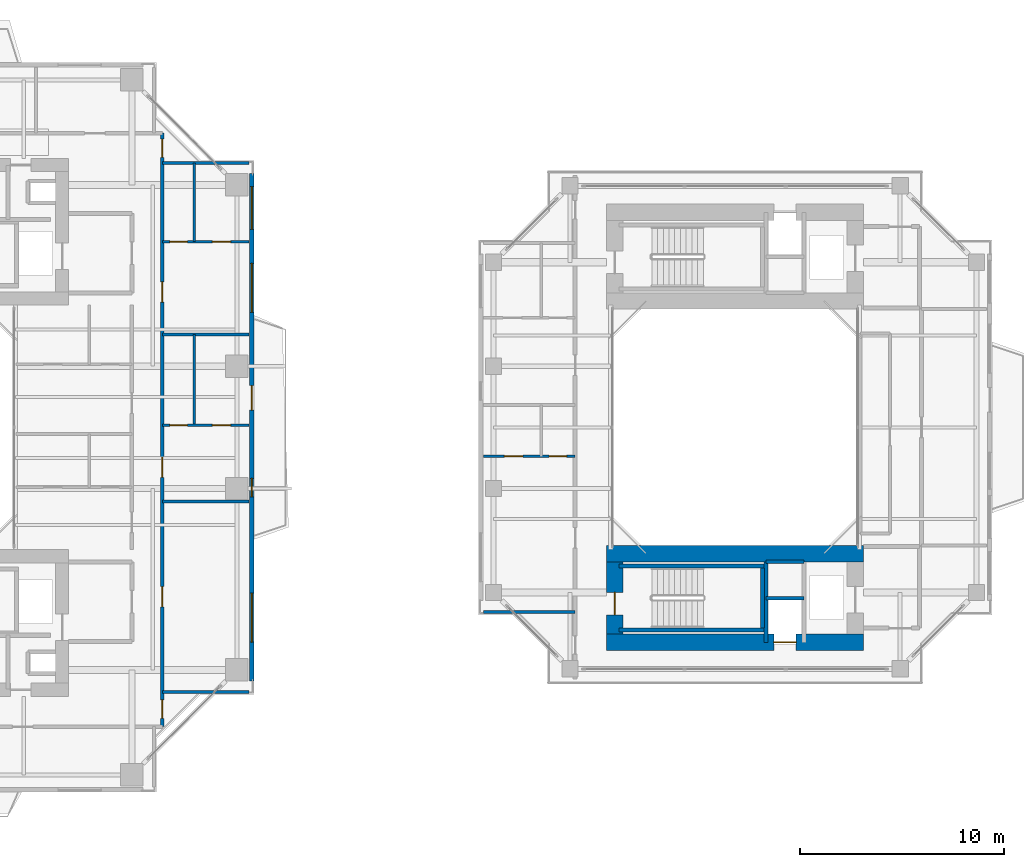
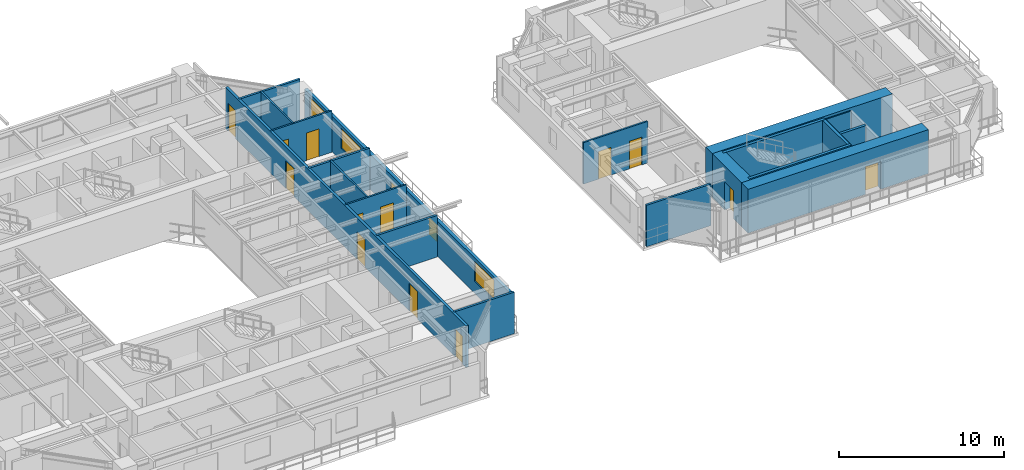
# One storey, part 16 of 23: 21 walls, 14 doors, 4 windows, 18 openings.
"""IFC4 building model written with IfcOpenShell, lengths in metres."""

from ifc_helpers import new_model, si_unit, direction, frame, frame_2d, origin, place, context, subcontext, project, spatial, rectangle, extrude, source, transform, mapped, material, layer, layer_set, type_object, element, fill, save


model = new_model("IFC4")

# Units and contexts
model_context = context("Model", 3, precision=1e-05, world=origin(), true_north=direction((0.0, 1.0)))
body_context = subcontext(model_context, "Body", "Model", "MODEL_VIEW")
ifc_project = project(units=[si_unit("LENGTHUNIT", "METRE"), si_unit("AREAUNIT", "SQUARE_METRE"), si_unit("VOLUMEUNIT", "CUBIC_METRE"), si_unit("PLANEANGLEUNIT", "RADIAN"), si_unit("MASSUNIT", "GRAM", prefix="KILO"), si_unit("THERMODYNAMICTEMPERATUREUNIT", "KELVIN"), si_unit("POWERUNIT", "WATT")], contexts=[model_context])

# Site, building, storey
site_placement = place(None, origin())
site = spatial("IfcSite", under=ifc_project, at=site_placement, CompositionType="ELEMENT")
building_placement = place(site_placement, origin())
building = spatial("IfcBuilding", under=site, at=building_placement, Name="Qiaomeng Ring Towers", CompositionType="ELEMENT")
storey_placement = place(building_placement, frame((0.0, 0.0, 100.25)))
storey = spatial("IfcBuildingStorey", under=building, at=storey_placement, Name="L28", CompositionType="ELEMENT", Elevation=100.25)

# Wall, openings, windows, door
ifc_material_1 = material(Name="Precast concrete C40", Category="concrete")
ifc_layer_1 = layer(ifc_material_1, 0.219970703125, Name="Precast concrete C40")
ifc_layer_set_1 = layer_set([ifc_layer_1], Name="Precast concrete C40")
wall_type_1 = type_object("IfcWallType", Name="ARC-WL-EW2", PredefinedType="STANDARD", material=ifc_layer_set_1)
wall_1_placement = place(storey_placement, frame((36.7900390625, 10.550048828125, 0.0), z_axis=(0.0, 0.0, 1.0), x_axis=(0.0, 1.0, 0.0)))
wall_1 = element("IfcWall", 1, at=wall_1_placement, inside=storey, type_object=wall_type_1, Name="L28 Tower 1 E Exterior Wall", PredefinedType="STANDARD", context=body_context, shape_type="SweptSolid", body=[
    extrude(rectangle(XDim=24.89990234375, YDim=0.219970703125, at=frame_2d((12.449951171875, 0.0))), origin(), (0.0, 0.0, 1.0), 2.610107421875),
])
opening_1_placement = place(wall_1_placement, frame((13.300048828125, 0.0, 0.0)))
opening_1 = element("IfcOpeningElement", 2, at=opening_1_placement, cuts=wall_1, Name="Opening BD1", PredefinedType="OPENING", context=body_context, shape_type="SweptSolid", body=[
    extrude(rectangle(XDim=1.199951171875, YDim=2.10009765625, at=frame_2d((0.60009765625, 1.050048828125))), frame((0.0, 0.119873046875, 0.0), z_axis=(0.0, -1.0, 0.0), x_axis=(1.0, 0.0, 0.0)), (0.0, 0.0, 1.0), 0.239990234375),
])
opening_2_placement = place(wall_1_placement, frame((1.912109375, 0.0, 0.89990234375)))
opening_2 = element("IfcOpeningElement", 3, at=opening_2_placement, cuts=wall_1, Name="Opening WN6", PredefinedType="OPENING", context=body_context, shape_type="SweptSolid", body=[
    extrude(rectangle(XDim=2.39990234375, YDim=1.47998046875, at=frame_2d((1.199951171875, 0.739990234375))), frame((0.0, 0.119873046875, 0.0), z_axis=(0.0, -1.0, 0.0), x_axis=(1.0, 0.0, 0.0)), (0.0, 0.0, 1.0), 0.239990234375),
])
opening_3_placement = place(wall_1_placement, frame((22.1650390625, 0.0, 0.89990234375)))
opening_3 = element("IfcOpeningElement", 4, at=opening_3_placement, cuts=wall_1, Name="Opening WN4", PredefinedType="OPENING", context=body_context, shape_type="SweptSolid", body=[
    extrude(rectangle(XDim=2.10009765625, YDim=1.5, at=frame_2d((1.050048828125, 0.75))), frame((0.0, 0.119873046875, 0.0), z_axis=(0.0, -1.0, 0.0), x_axis=(1.0, 0.0, 0.0)), (0.0, 0.0, 1.0), 0.239990234375),
])
opening_4_placement = place(wall_1_placement, frame((18.092529296875, 0.0, 0.89990234375)))
opening_4 = element("IfcOpeningElement", 5, at=opening_4_placement, cuts=wall_1, Name="Opening WN6", PredefinedType="OPENING", context=body_context, shape_type="SweptSolid", body=[
    extrude(rectangle(XDim=2.39990234375, YDim=1.5, at=frame_2d((1.199951171875, 0.75))), frame((0.0, 0.119873046875, 0.0), z_axis=(0.0, -1.0, 0.0), x_axis=(1.0, 0.0, 0.0)), (0.0, 0.0, 1.0), 0.239990234375),
])
opening_5_placement = place(wall_1_placement, frame((9.044921875, 0.0, 0.89990234375)))
opening_5 = element("IfcOpeningElement", 6, at=opening_5_placement, cuts=wall_1, Name="Opening WN5", PredefinedType="OPENING", context=body_context, shape_type="SweptSolid", body=[
    extrude(rectangle(XDim=0.89990234375, YDim=1.199951171875, at=frame_2d((0.449951171875, 0.60009765625))), frame((0.0, 0.119873046875, 0.0), z_axis=(0.0, -1.0, 0.0), x_axis=(1.0, 0.0, 0.0)), (0.0, 0.0, 1.0), 0.239990234375),
])
ifc_material_2 = material(Name="Low-E dark-grey laminated double glazing", Category="glass")
window_type_1 = type_object("IfcWindowType", Name="ARC-WN-4", PartitioningType="TRIPLE_PANEL_VERTICAL", PredefinedType="WINDOW", material=ifc_material_2)
shared_shape_1 = source(origin(), body_context, "Body", "SweptSolid", [
    extrude(rectangle(XDim=2.10009765625, YDim=1.5, at=frame_2d((1.050048828125, 0.75))), frame((0.0, 0.030029296875, 0.0), z_axis=(0.0, -1.0, 0.0), x_axis=(1.0, 0.0, 0.0)), (0.0, 0.0, 1.0), 0.06005859375),
])
window_1_placement = place(opening_3_placement, origin())
window_1 = element("IfcWindow", 7, at=window_1_placement, inside=storey, type_object=window_type_1, Name="L28 Exterior Window WN4", OverallHeight=1.5, OverallWidth=2.10009765625, PartitioningType="TRIPLE_PANEL_VERTICAL", PredefinedType="WINDOW", context=body_context, shape_type="MappedRepresentation", body=[
    mapped(shared_shape_1, transform((0.0, 0.0, 0.0), x_axis=(1.0, 0.0, 0.0), y_axis=(0.0, 1.0, 0.0), z_axis=(0.0, 0.0, 1.0), scale=1.0)),
])
fill(opening_3, window_1)
window_type_2 = type_object("IfcWindowType", Name="ARC-WN-6", PartitioningType="TRIPLE_PANEL_VERTICAL", PredefinedType="WINDOW", material=ifc_material_2)
shared_shape_2 = source(origin(), body_context, "Body", "SweptSolid", [
    extrude(rectangle(XDim=2.39990234375, YDim=1.47998046875, at=frame_2d((1.199951171875, 0.739990234375))), frame((0.0, 0.030029296875, 0.0), z_axis=(0.0, -1.0, 0.0), x_axis=(1.0, 0.0, 0.0)), (0.0, 0.0, 1.0), 0.06005859375),
])
window_2_placement = place(opening_2_placement, origin())
window_2 = element("IfcWindow", 8, at=window_2_placement, inside=storey, type_object=window_type_2, Name="L28 Exterior Window WN6", OverallHeight=1.47998046875, OverallWidth=2.39990234375, PartitioningType="TRIPLE_PANEL_VERTICAL", PredefinedType="WINDOW", context=body_context, shape_type="MappedRepresentation", body=[
    mapped(shared_shape_2, transform((0.0, 0.0, 0.0), x_axis=(1.0, 0.0, 0.0), y_axis=(0.0, 1.0, 0.0), z_axis=(0.0, 0.0, 1.0), scale=1.0)),
])
fill(opening_2, window_2)
door_type_1 = type_object("IfcDoorType", Name="ARC-DR-BD1", OperationType="NOTDEFINED", PredefinedType="DOOR", material=ifc_material_2)
shared_shape_3 = source(origin(), body_context, "Body", "SweptSolid", [
    extrude(rectangle(XDim=1.199951171875, YDim=2.10009765625, at=frame_2d((0.60009765625, 1.050048828125))), frame((0.0, 0.02490234375, 0.0), z_axis=(0.0, -1.0, 0.0), x_axis=(1.0, 0.0, 0.0)), (0.0, 0.0, 1.0), 0.050048828125),
])
door_1_placement = place(opening_1_placement, origin())
door_1 = element("IfcDoor", 9, at=door_1_placement, inside=storey, type_object=door_type_1, Name="L28 E Balcony Glazed Door", OperationType="SINGLE_SWING_LEFT", OverallHeight=2.10009765625, OverallWidth=1.199951171875, PredefinedType="DOOR", context=body_context, shape_type="MappedRepresentation", body=[
    mapped(shared_shape_3, transform((0.0, 0.0, 0.0), x_axis=(1.0, 0.0, 0.0), y_axis=(0.0, 1.0, 0.0), z_axis=(0.0, 0.0, 1.0), scale=1.0)),
])
fill(opening_1, door_1)
shared_shape_4 = source(origin(), body_context, "Body", "SweptSolid", [
    extrude(rectangle(XDim=2.39990234375, YDim=1.5, at=frame_2d((1.199951171875, 0.75))), frame((0.0, 0.030029296875, 0.0), z_axis=(0.0, -1.0, 0.0), x_axis=(1.0, 0.0, 0.0)), (0.0, 0.0, 1.0), 0.06005859375),
])
window_3_placement = place(opening_4_placement, origin())
window_3 = element("IfcWindow", 10, at=window_3_placement, inside=storey, type_object=window_type_2, Name="L28 Exterior Window WN6", OverallHeight=1.5, OverallWidth=2.39990234375, PartitioningType="TRIPLE_PANEL_VERTICAL", PredefinedType="WINDOW", context=body_context, shape_type="MappedRepresentation", body=[
    mapped(shared_shape_4, transform((0.0, 0.0, 0.0), x_axis=(1.0, 0.0, 0.0), y_axis=(0.0, 1.0, 0.0), z_axis=(0.0, 0.0, 1.0), scale=1.0)),
])
fill(opening_4, window_3)
window_type_3 = type_object("IfcWindowType", Name="ARC-WN-5", PartitioningType="SINGLE_PANEL", PredefinedType="WINDOW", material=ifc_material_2)
shared_shape_5 = source(origin(), body_context, "Body", "SweptSolid", [
    extrude(rectangle(XDim=0.89990234375, YDim=1.199951171875, at=frame_2d((0.449951171875, 0.60009765625))), frame((0.0, 0.030029296875, 0.0), z_axis=(0.0, -1.0, 0.0), x_axis=(1.0, 0.0, 0.0)), (0.0, 0.0, 1.0), 0.06005859375),
])
window_4_placement = place(opening_5_placement, origin())
window_4 = element("IfcWindow", 11, at=window_4_placement, inside=storey, type_object=window_type_3, Name="L28 Exterior Window WN5", OverallHeight=1.199951171875, OverallWidth=0.89990234375, PartitioningType="SINGLE_PANEL", PredefinedType="WINDOW", context=body_context, shape_type="MappedRepresentation", body=[
    mapped(shared_shape_5, transform((0.0, 0.0, 0.0), x_axis=(1.0, 0.0, 0.0), y_axis=(0.0, 1.0, 0.0), z_axis=(0.0, 0.0, 1.0), scale=1.0)),
])
fill(opening_5, window_4)

# Wall, openings, doors
ifc_material_3 = material(Name="Autoclaved aerated concrete block", Category="concrete")
ifc_layer_2 = layer(ifc_material_3, 0.179931640625, Name="Autoclaved aerated concrete block")
ifc_layer_set_2 = layer_set([ifc_layer_2], Name="Autoclaved aerated concrete block")
wall_type_2 = type_object("IfcWallType", Name="ARC-WL-PW2", PredefinedType="PARTITIONING", material=ifc_layer_set_2)
wall_2_placement = place(storey_placement, frame((32.39990234375, 8.31005859375, 0.0), z_axis=(0.0, 0.0, 1.0), x_axis=(0.0, 1.0, 0.0)))
wall_2 = element("IfcWall", 12, at=wall_2_placement, inside=storey, type_object=wall_type_2, Name="L28 Interior Wall PW2", PredefinedType="PARTITIONING", context=body_context, shape_type="SweptSolid", body=[
    extrude(rectangle(XDim=29.1298828125, YDim=0.179931640625, at=frame_2d((14.56494140625, 0.0))), origin(), (0.0, 0.0, 1.0), 3.070068359375),
])
opening_6_placement = place(wall_2_placement, frame((27.93994140625, 0.0, 0.0)))
opening_6 = element("IfcOpeningElement", 13, at=opening_6_placement, cuts=wall_2, Name="Opening ID1", PredefinedType="OPENING", context=body_context, shape_type="SweptSolid", body=[
    extrude(rectangle(XDim=0.89990234375, YDim=2.050048828125, at=frame_2d((0.449951171875, 1.02490234375))), frame((0.0, 0.099853515625, 0.0), z_axis=(0.0, -1.0, 0.0), x_axis=(1.0, 0.0, 0.0)), (0.0, 0.0, 1.0), 0.199951171875),
])
opening_7_placement = place(wall_2_placement, frame((0.4150390625, 0.0, 0.0)))
opening_7 = element("IfcOpeningElement", 14, at=opening_7_placement, cuts=wall_2, Name="Opening ID1", PredefinedType="OPENING", context=body_context, shape_type="SweptSolid", body=[
    extrude(rectangle(XDim=0.89990234375, YDim=2.050048828125, at=frame_2d((0.449951171875, 1.02490234375))), frame((0.0, 0.099853515625, 0.0), z_axis=(0.0, -1.0, 0.0), x_axis=(1.0, 0.0, 0.0)), (0.0, 0.0, 1.0), 0.199951171875),
])
opening_8_placement = place(wall_2_placement, frame((5.8798828125, 0.0, 0.0)))
opening_8 = element("IfcOpeningElement", 15, at=opening_8_placement, cuts=wall_2, Name="Opening FD4", PredefinedType="OPENING", context=body_context, shape_type="SweptSolid", body=[
    extrude(rectangle(XDim=1.0, YDim=2.050048828125, at=frame_2d((0.5, 1.02490234375))), frame((0.0, 0.099853515625, 0.0), z_axis=(0.0, -1.0, 0.0), x_axis=(1.0, 0.0, 0.0)), (0.0, 0.0, 1.0), 0.199951171875),
])
opening_9_placement = place(wall_2_placement, frame((12.22998046875, 0.0, 0.0)))
opening_9 = element("IfcOpeningElement", 16, at=opening_9_placement, cuts=wall_2, Name="Opening FD4", PredefinedType="OPENING", context=body_context, shape_type="SweptSolid", body=[
    extrude(rectangle(XDim=1.0, YDim=2.050048828125, at=frame_2d((0.5, 1.02490234375))), frame((0.0, 0.099853515625, 0.0), z_axis=(0.0, -1.0, 0.0), x_axis=(1.0, 0.0, 0.0)), (0.0, 0.0, 1.0), 0.199951171875),
])
opening_10_placement = place(wall_2_placement, frame((20.8349609375, 0.0, 0.0)))
opening_10 = element("IfcOpeningElement", 17, at=opening_10_placement, cuts=wall_2, Name="Opening FD4", PredefinedType="OPENING", context=body_context, shape_type="SweptSolid", body=[
    extrude(rectangle(XDim=1.0, YDim=2.050048828125, at=frame_2d((0.5, 1.02490234375))), frame((0.0, 0.099853515625, 0.0), z_axis=(0.0, -1.0, 0.0), x_axis=(1.0, 0.0, 0.0)), (0.0, 0.0, 1.0), 0.199951171875),
])
ifc_material_4 = material(Name="Engineered fire-rated oak timber", Category="wood")
door_type_2 = type_object("IfcDoorType", Name="ARC-DR-FD4", OperationType="NOTDEFINED", PredefinedType="DOOR", material=ifc_material_4)
shared_shape_6 = source(origin(), body_context, "Body", "SweptSolid", [
    extrude(rectangle(XDim=1.0, YDim=2.050048828125, at=frame_2d((0.5, 1.02490234375))), frame((0.0, 0.02490234375, 0.0), z_axis=(0.0, -1.0, 0.0), x_axis=(1.0, 0.0, 0.0)), (0.0, 0.0, 1.0), 0.050048828125),
])
door_2_placement = place(opening_8_placement, origin())
door_2 = element("IfcDoor", 18, at=door_2_placement, inside=storey, type_object=door_type_2, Name="L28 Door FD4", OperationType="SINGLE_SWING_RIGHT", OverallHeight=2.050048828125, OverallWidth=1.0, PredefinedType="DOOR", context=body_context, shape_type="MappedRepresentation", body=[
    mapped(shared_shape_6, transform((0.0, 0.0, 0.0), x_axis=(1.0, 0.0, 0.0), y_axis=(0.0, 1.0, 0.0), z_axis=(0.0, 0.0, 1.0), scale=1.0)),
])
fill(opening_8, door_2)
door_3_placement = place(opening_9_placement, origin())
door_3 = element("IfcDoor", 19, at=door_3_placement, inside=storey, type_object=door_type_2, Name="L28 Door FD4", OperationType="SINGLE_SWING_LEFT", OverallHeight=2.050048828125, OverallWidth=1.0, PredefinedType="DOOR", context=body_context, shape_type="MappedRepresentation", body=[
    mapped(shared_shape_6, transform((0.0, 0.0, 0.0), x_axis=(1.0, 0.0, 0.0), y_axis=(0.0, 1.0, 0.0), z_axis=(0.0, 0.0, 1.0), scale=1.0)),
])
fill(opening_9, door_3)
door_4_placement = place(opening_10_placement, origin())
door_4 = element("IfcDoor", 20, at=door_4_placement, inside=storey, type_object=door_type_2, Name="L28 Door FD4", OperationType="SINGLE_SWING_RIGHT", OverallHeight=2.050048828125, OverallWidth=1.0, PredefinedType="DOOR", context=body_context, shape_type="MappedRepresentation", body=[
    mapped(shared_shape_6, transform((0.0, 0.0, 0.0), x_axis=(1.0, 0.0, 0.0), y_axis=(0.0, 1.0, 0.0), z_axis=(0.0, 0.0, 1.0), scale=1.0)),
])
fill(opening_10, door_4)
ifc_material_5 = material(Name="Engineered oak timber", Category="wood")
door_type_3 = type_object("IfcDoorType", Name="ARC-DR-ID1", OperationType="NOTDEFINED", PredefinedType="DOOR", material=ifc_material_5)
shared_shape_7 = source(origin(), body_context, "Body", "SweptSolid", [
    extrude(rectangle(XDim=0.89990234375, YDim=2.050048828125, at=frame_2d((0.449951171875, 1.02490234375))), frame((0.0, 0.02490234375, 0.0), z_axis=(0.0, -1.0, 0.0), x_axis=(1.0, 0.0, 0.0)), (0.0, 0.0, 1.0), 0.050048828125),
])
door_5_placement = place(opening_6_placement, origin())
door_5 = element("IfcDoor", 21, at=door_5_placement, inside=storey, type_object=door_type_3, Name="L28 Door ID1", OperationType="SINGLE_SWING_RIGHT", OverallHeight=2.050048828125, OverallWidth=0.89990234375, PredefinedType="DOOR", context=body_context, shape_type="MappedRepresentation", body=[
    mapped(shared_shape_7, transform((0.0, 0.0, 0.0), x_axis=(1.0, 0.0, 0.0), y_axis=(0.0, 1.0, 0.0), z_axis=(0.0, 0.0, 1.0), scale=1.0)),
])
fill(opening_6, door_5)
door_6_placement = place(opening_7_placement, origin())
door_6 = element("IfcDoor", 22, at=door_6_placement, inside=storey, type_object=door_type_3, Name="L28 Door ID1", OperationType="SINGLE_SWING_LEFT", OverallHeight=2.050048828125, OverallWidth=0.89990234375, PredefinedType="DOOR", context=body_context, shape_type="MappedRepresentation", body=[
    mapped(shared_shape_7, transform((0.0, 0.0, 0.0), x_axis=(1.0, 0.0, 0.0), y_axis=(0.0, 1.0, 0.0), z_axis=(0.0, 0.0, 1.0), scale=1.0)),
])
fill(opening_7, door_6)

# Walls
ifc_material_6 = material(Name="Gypsum fireboard steel-stud partition", Category="steel")
ifc_layer_3 = layer(ifc_material_6, 0.14990234375, Name="Gypsum fireboard steel-stud partition")
ifc_layer_set_3 = layer_set([ifc_layer_3], Name="Gypsum fireboard steel-stud partition")
wall_type_3 = type_object("IfcWallType", Name="ARC-WL-PW3", PredefinedType="PARTITIONING", material=ifc_layer_set_3)
for number, where, z_axis, x_axis, name in (
    (23, (32.39990234375, 35.97998046875, 0.0), (0.0, 0.0, 1.0), (1.0, 0.0, 0.0), "L28 Interior Wall PW3"),
    (24, (32.39990234375, 10.02001953125, 0.0), (0.0, 0.0, 1.0), (1.0, 0.0, 0.0), "L28 Interior Wall PW3"),
    (25, (32.39990234375, 19.360107421875, 0.0), (0.0, 0.0, 1.0), (1.0, 0.0, 0.0), "L28 Interior Wall PW3"),
    (26, (32.39990234375, 27.56005859375, 0.0), (0.0, 0.0, 1.0), (1.0, 0.0, 0.0), "L28 Interior Wall PW3"),
):
    element("IfcWall", number, at=place(storey_placement, frame(where, z_axis=z_axis, x_axis=x_axis)), inside=storey, type_object=wall_type_3, Name=name, PredefinedType="PARTITIONING", context=body_context, shape_type="SweptSolid", body=[
        extrude(rectangle(XDim=4.25, YDim=0.14990234375, at=frame_2d((2.125, 0.0))), origin(), (0.0, 0.0, 1.0), 3.070068359375),
    ])
wall_3_placement = place(storey_placement, frame((48.14990234375, 13.949951171875, 0.0), z_axis=(0.0, 0.0, 1.0), x_axis=(1.0, 0.0, 0.0)))
element("IfcWall", 27, at=wall_3_placement, inside=storey, type_object=wall_type_3, Name="L28 Interior Wall PW3", PredefinedType="PARTITIONING", context=body_context, shape_type="SweptSolid", body=[
    extrude(rectangle(XDim=4.5, YDim=0.14990234375, at=frame_2d((2.25, 0.0))), origin(), (0.0, 0.0, 1.0), 3.070068359375),
])

# Wall, openings, doors
ifc_material_7 = material(Name="Moisture-resistant gypsum steel-stud partition", Category="steel")
ifc_layer_4 = layer(ifc_material_7, 0.1201171875, Name="Moisture-resistant gypsum steel-stud partition")
ifc_layer_set_4 = layer_set([ifc_layer_4], Name="Moisture-resistant gypsum steel-stud partition")
wall_type_4 = type_object("IfcWallType", Name="ARC-WL-PW4", PredefinedType="PLUMBINGWALL", material=ifc_layer_set_4)
wall_4_placement = place(storey_placement, frame((32.39990234375, 23.10009765625, 0.0), z_axis=(0.0, 0.0, 1.0), x_axis=(1.0, 0.0, 0.0)))
wall_4 = element("IfcWall", 28, at=wall_4_placement, inside=storey, type_object=wall_type_4, Name="L28 Interior Wall PW4", PredefinedType="PLUMBINGWALL", context=body_context, shape_type="SweptSolid", body=[
    extrude(rectangle(XDim=4.25, YDim=0.1201171875, at=frame_2d((2.125, 0.0))), origin(), (0.0, 0.0, 1.0), 3.070068359375),
])
opening_11_placement = place(wall_4_placement, frame((0.3701171875, 0.0, 0.0)))
opening_11 = element("IfcOpeningElement", 29, at=opening_11_placement, cuts=wall_4, Name="Opening ID2", PredefinedType="OPENING", context=body_context, shape_type="SweptSolid", body=[
    extrude(rectangle(XDim=0.85009765625, YDim=2.050048828125, at=frame_2d((0.425048828125, 1.02490234375))), frame((0.0, 0.070068359375, 0.0), z_axis=(0.0, -1.0, 0.0), x_axis=(1.0, 0.0, 0.0)), (0.0, 0.0, 1.0), 0.14013671875),
])
opening_12_placement = place(wall_4_placement, frame((2.449951171875, 0.0, 0.0)))
opening_12 = element("IfcOpeningElement", 30, at=opening_12_placement, cuts=wall_4, Name="Opening ID1", PredefinedType="OPENING", context=body_context, shape_type="SweptSolid", body=[
    extrude(rectangle(XDim=0.89990234375, YDim=2.050048828125, at=frame_2d((0.449951171875, 1.02490234375))), frame((0.0, 0.070068359375, 0.0), z_axis=(0.0, -1.0, 0.0), x_axis=(1.0, 0.0, 0.0)), (0.0, 0.0, 1.0), 0.14013671875),
])
ifc_material_8 = material(Name="Moisture-resistant engineered timber", Category="wood")
door_type_4 = type_object("IfcDoorType", Name="ARC-DR-ID2", OperationType="NOTDEFINED", PredefinedType="DOOR", material=ifc_material_8)
shared_shape_8 = source(origin(), body_context, "Body", "SweptSolid", [
    extrude(rectangle(XDim=0.85009765625, YDim=2.050048828125, at=frame_2d((0.425048828125, 1.02490234375))), frame((0.0, 0.02490234375, 0.0), z_axis=(0.0, -1.0, 0.0), x_axis=(1.0, 0.0, 0.0)), (0.0, 0.0, 1.0), 0.050048828125),
])
door_7_placement = place(opening_11_placement, origin())
door_7 = element("IfcDoor", 31, at=door_7_placement, inside=storey, type_object=door_type_4, Name="L28 Door ID2", OperationType="SINGLE_SWING_LEFT", OverallHeight=2.050048828125, OverallWidth=0.85009765625, PredefinedType="DOOR", context=body_context, shape_type="MappedRepresentation", body=[
    mapped(shared_shape_8, transform((0.0, 0.0, 0.0), x_axis=(1.0, 0.0, 0.0), y_axis=(0.0, 1.0, 0.0), z_axis=(0.0, 0.0, 1.0), scale=1.0)),
])
fill(opening_11, door_7)
door_8_placement = place(opening_12_placement, origin())
door_8 = element("IfcDoor", 32, at=door_8_placement, inside=storey, type_object=door_type_3, Name="L28 Door ID1", OperationType="SINGLE_SWING_RIGHT", OverallHeight=2.050048828125, OverallWidth=0.89990234375, PredefinedType="DOOR", context=body_context, shape_type="MappedRepresentation", body=[
    mapped(shared_shape_7, transform((0.0, 0.0, 0.0), x_axis=(1.0, 0.0, 0.0), y_axis=(0.0, 1.0, 0.0), z_axis=(0.0, 0.0, 1.0), scale=1.0)),
])
fill(opening_12, door_8)

# Wall
wall_5_placement = place(storey_placement, frame((33.969970703125, 23.10009765625, 0.0), z_axis=(0.0, 0.0, 1.0), x_axis=(0.0, 1.0, 0.0)))
element("IfcWall", 33, at=wall_5_placement, inside=storey, type_object=wall_type_4, Name="L28 Interior Wall PW4", PredefinedType="PLUMBINGWALL", context=body_context, shape_type="SweptSolid", body=[
    extrude(rectangle(XDim=4.4599609375, YDim=0.1201171875, at=frame_2d((2.22998046875, 0.0))), origin(), (0.0, 0.0, 1.0), 3.070068359375),
])

# Wall, openings, doors
wall_6_placement = place(storey_placement, frame((32.39990234375, 32.110107421875, 0.0), z_axis=(0.0, 0.0, 1.0), x_axis=(1.0, 0.0, 0.0)))
wall_6 = element("IfcWall", 34, at=wall_6_placement, inside=storey, type_object=wall_type_4, Name="L28 Interior Wall PW4", PredefinedType="PLUMBINGWALL", context=body_context, shape_type="SweptSolid", body=[
    extrude(rectangle(XDim=4.25, YDim=0.1201171875, at=frame_2d((2.125, 0.0))), origin(), (0.0, 0.0, 1.0), 3.070068359375),
])
opening_13_placement = place(wall_6_placement, frame((0.3701171875, 0.0, 0.0)))
opening_13 = element("IfcOpeningElement", 35, at=opening_13_placement, cuts=wall_6, Name="Opening ID2", PredefinedType="OPENING", context=body_context, shape_type="SweptSolid", body=[
    extrude(rectangle(XDim=0.85009765625, YDim=2.050048828125, at=frame_2d((0.425048828125, 1.02490234375))), frame((0.0, 0.070068359375, 0.0), z_axis=(0.0, -1.0, 0.0), x_axis=(1.0, 0.0, 0.0)), (0.0, 0.0, 1.0), 0.14013671875),
])
opening_14_placement = place(wall_6_placement, frame((2.449951171875, 0.0, 0.0)))
opening_14 = element("IfcOpeningElement", 36, at=opening_14_placement, cuts=wall_6, Name="Opening ID1", PredefinedType="OPENING", context=body_context, shape_type="SweptSolid", body=[
    extrude(rectangle(XDim=0.89990234375, YDim=2.050048828125, at=frame_2d((0.449951171875, 1.02490234375))), frame((0.0, 0.070068359375, 0.0), z_axis=(0.0, -1.0, 0.0), x_axis=(1.0, 0.0, 0.0)), (0.0, 0.0, 1.0), 0.14013671875),
])
door_9_placement = place(opening_13_placement, origin())
door_9 = element("IfcDoor", 37, at=door_9_placement, inside=storey, type_object=door_type_4, Name="L28 Door ID2", OperationType="SINGLE_SWING_RIGHT", OverallHeight=2.050048828125, OverallWidth=0.85009765625, PredefinedType="DOOR", context=body_context, shape_type="MappedRepresentation", body=[
    mapped(shared_shape_8, transform((0.0, 0.0, 0.0), x_axis=(1.0, 0.0, 0.0), y_axis=(0.0, 1.0, 0.0), z_axis=(0.0, 0.0, 1.0), scale=1.0)),
])
fill(opening_13, door_9)
door_10_placement = place(opening_14_placement, origin())
door_10 = element("IfcDoor", 38, at=door_10_placement, inside=storey, type_object=door_type_3, Name="L28 Door ID1", OperationType="SINGLE_SWING_LEFT", OverallHeight=2.050048828125, OverallWidth=0.89990234375, PredefinedType="DOOR", context=body_context, shape_type="MappedRepresentation", body=[
    mapped(shared_shape_7, transform((0.0, 0.0, 0.0), x_axis=(1.0, 0.0, 0.0), y_axis=(0.0, 1.0, 0.0), z_axis=(0.0, 0.0, 1.0), scale=1.0)),
])
fill(opening_14, door_10)

# Wall
wall_7_placement = place(storey_placement, frame((33.969970703125, 32.110107421875, 0.0), z_axis=(0.0, 0.0, 1.0), x_axis=(0.0, 1.0, 0.0)))
element("IfcWall", 39, at=wall_7_placement, inside=storey, type_object=wall_type_4, Name="L28 Interior Wall PW4", PredefinedType="PLUMBINGWALL", context=body_context, shape_type="SweptSolid", body=[
    extrude(rectangle(XDim=3.869873046875, YDim=0.1201171875, at=frame_2d((1.93505859375, 0.0))), origin(), (0.0, 0.0, 1.0), 3.070068359375),
])

# Wall, openings, doors
wall_8_placement = place(storey_placement, frame((48.14990234375, 21.580078125, 0.0), z_axis=(0.0, 0.0, 1.0), x_axis=(1.0, 0.0, 0.0)))
wall_8 = element("IfcWall", 40, at=wall_8_placement, inside=storey, type_object=wall_type_4, Name="L28 Interior Wall PW4", PredefinedType="PLUMBINGWALL", context=body_context, shape_type="SweptSolid", body=[
    extrude(rectangle(XDim=4.5, YDim=0.1201171875, at=frame_2d((2.25, 0.0))), origin(), (0.0, 0.0, 1.0), 3.070068359375),
])
opening_15_placement = place(wall_8_placement, frame((1.035888671875, 0.0, 0.0)))
opening_15 = element("IfcOpeningElement", 41, at=opening_15_placement, cuts=wall_8, Name="Opening ID1", PredefinedType="OPENING", context=body_context, shape_type="SweptSolid", body=[
    extrude(rectangle(XDim=0.89990234375, YDim=2.050048828125, at=frame_2d((0.449951171875, 1.02490234375))), frame((0.0, 0.070068359375, 0.0), z_axis=(0.0, -1.0, 0.0), x_axis=(1.0, 0.0, 0.0)), (0.0, 0.0, 1.0), 0.14013671875),
])
opening_16_placement = place(wall_8_placement, frame((3.22998046875, 0.0, 0.0)))
opening_16 = element("IfcOpeningElement", 42, at=opening_16_placement, cuts=wall_8, Name="Opening ID2", PredefinedType="OPENING", context=body_context, shape_type="SweptSolid", body=[
    extrude(rectangle(XDim=0.85009765625, YDim=2.050048828125, at=frame_2d((0.425048828125, 1.02490234375))), frame((0.0, 0.070068359375, 0.0), z_axis=(0.0, -1.0, 0.0), x_axis=(1.0, 0.0, 0.0)), (0.0, 0.0, 1.0), 0.14013671875),
])
door_11_placement = place(opening_16_placement, origin())
door_11 = element("IfcDoor", 43, at=door_11_placement, inside=storey, type_object=door_type_4, Name="L28 Door ID2", OperationType="SINGLE_SWING_RIGHT", OverallHeight=2.050048828125, OverallWidth=0.85009765625, PredefinedType="DOOR", context=body_context, shape_type="MappedRepresentation", body=[
    mapped(shared_shape_8, transform((0.0, 0.0, 0.0), x_axis=(1.0, 0.0, 0.0), y_axis=(0.0, 1.0, 0.0), z_axis=(0.0, 0.0, 1.0), scale=1.0)),
])
fill(opening_16, door_11)
door_12_placement = place(opening_15_placement, origin())
door_12 = element("IfcDoor", 44, at=door_12_placement, inside=storey, type_object=door_type_3, Name="L28 Door ID1", OperationType="SINGLE_SWING_LEFT", OverallHeight=2.050048828125, OverallWidth=0.89990234375, PredefinedType="DOOR", context=body_context, shape_type="MappedRepresentation", body=[
    mapped(shared_shape_7, transform((0.0, 0.0, 0.0), x_axis=(1.0, 0.0, 0.0), y_axis=(0.0, 1.0, 0.0), z_axis=(0.0, 0.0, 1.0), scale=1.0)),
])
fill(opening_15, door_12)

# Walls
ifc_material_9 = material(Name="Concrete C40", Category="concrete")
ifc_layer_5 = layer(ifc_material_9, 0.199951171875, Name="Concrete C40")
ifc_layer_set_5 = layer_set([ifc_layer_5], Name="Concrete C40")
wall_type_5 = type_object("IfcWallType", Name="STR-WL-STSHAFT", PredefinedType="SHEAR", material=ifc_layer_set_5)
wall_9_placement = place(storey_placement, frame((62.02001953125, 12.449951171875, 0.0), z_axis=(0.0, 0.0, 1.0), x_axis=(0.0, 1.0, 0.0)))
element("IfcWall", 45, at=wall_9_placement, inside=storey, type_object=wall_type_5, Name="L28 Companion Lift Shaft West Wall S", PredefinedType="SHEAR", context=body_context, shape_type="SweptSolid", body=[
    extrude(rectangle(XDim=3.949951171875, YDim=0.179931640625, at=frame_2d((1.97509765625, 0.0))), origin(), (0.0, 0.0, 1.0), 3.070068359375),
])
for number, where, z_axis, x_axis, name in (
    (46, (62.02001953125, 14.6201171875, 0.0), (0.0, 0.0, 1.0), (1.0, 0.0, 0.0), "L28 Companion Lift Shaft Divider Wall S"),
    (47, (62.02001953125, 16.39990234375, 0.0), (0.0, 0.0, 1.0), (1.0, 0.0, 0.0), "L28 Companion Riser Shaft Back Wall S"),
):
    element("IfcWall", number, at=place(storey_placement, frame(where, z_axis=z_axis, x_axis=x_axis)), inside=storey, type_object=wall_type_5, Name=name, PredefinedType="SHEAR", context=body_context, shape_type="SweptSolid", body=[
        extrude(rectangle(XDim=1.85986328125, YDim=0.179931640625, at=frame_2d((0.929931640625, 0.0))), origin(), (0.0, 0.0, 1.0), 3.070068359375),
    ])
for number, where, z_axis, x_axis, name in (
    (48, (54.800048828125, 13.06005859375, 0.0), (0.0, 0.0, 1.0), (1.0, 0.0, 0.0), "L28 Stair ST6 South Shaft Shear Wall"),
    (49, (54.800048828125, 16.199951171875, 0.0), (0.0, 0.0, 1.0), (1.0, 0.0, 0.0), "L28 Stair ST6 North Shaft Shear Wall"),
):
    element("IfcWall", number, at=place(storey_placement, frame(where, z_axis=z_axis, x_axis=x_axis)), inside=storey, type_object=wall_type_5, Name=name, PredefinedType="SHEAR", context=body_context, shape_type="SweptSolid", body=[
        extrude(rectangle(XDim=7.14990234375, YDim=0.199951171875, at=frame_2d((3.574951171875, 0.0))), origin(), (0.0, 0.0, 1.0), 3.25),
    ])
wall_10_placement = place(storey_placement, frame((61.85009765625, 13.159912109375, 0.0), z_axis=(0.0, 0.0, 1.0), x_axis=(0.0, 1.0, 0.0)))
element("IfcWall", 50, at=wall_10_placement, inside=storey, type_object=wall_type_5, Name="L28 Stair ST6 East Shaft Shear Wall", PredefinedType="SHEAR", context=body_context, shape_type="SweptSolid", body=[
    extrude(rectangle(XDim=2.940185546875, YDim=0.199951171875, at=frame_2d((1.47021484375, 0.0))), origin(), (0.0, 0.0, 1.0), 3.25),
])

# Wall, opening, door
ifc_material_10 = material(Name="Concrete C60", Category="concrete")
ifc_layer_6 = layer(ifc_material_10, 0.800048828125, Name="Concrete C60")
ifc_layer_set_6 = layer_set([ifc_layer_6], Name="Concrete C60")
wall_type_6 = type_object("IfcWallType", Name="STR-WL-SW1", PredefinedType="SHEAR", material=ifc_layer_set_6)
wall_11_placement = place(storey_placement, frame((54.199951171875, 12.449951171875, 0.0), z_axis=(0.0, 0.0, 1.0), x_axis=(1.0, 0.0, 0.0)))
wall_11 = element("IfcWall", 51, at=wall_11_placement, inside=storey, type_object=wall_type_6, Name="L28 T2SC south core shear wall", PredefinedType="SHEAR", context=body_context, shape_type="SweptSolid", body=[
    extrude(rectangle(XDim=12.60009765625, YDim=0.800048828125, at=frame_2d((6.300048828125, 0.0))), origin(), (0.0, 0.0, 1.0), 3.25),
])
opening_17_placement = place(wall_11_placement, frame((8.199951171875, 0.0, 0.0)))
opening_17 = element("IfcOpeningElement", 52, at=opening_17_placement, cuts=wall_11, Name="Opening LD1", PredefinedType="OPENING", context=body_context, shape_type="SweptSolid", body=[
    extrude(rectangle(XDim=1.10009765625, YDim=2.050048828125, at=frame_2d((0.550048828125, 1.02490234375))), frame((0.0, 0.409912109375, 0.0), z_axis=(0.0, -1.0, 0.0), x_axis=(1.0, 0.0, 0.0)), (0.0, 0.0, 1.0), 0.820068359375),
])
ifc_material_11 = material(Name="Stainless steel 316", Category="steel")
door_type_5 = type_object("IfcDoorType", Name="ARC-DR-LD1", OperationType="NOTDEFINED", PredefinedType="DOOR", material=ifc_material_11)
shared_shape_9 = source(origin(), body_context, "Body", "SweptSolid", [
    extrude(rectangle(XDim=1.10009765625, YDim=2.050048828125, at=frame_2d((0.550048828125, 1.02490234375))), frame((0.0, 0.02490234375, 0.0), z_axis=(0.0, -1.0, 0.0), x_axis=(1.0, 0.0, 0.0)), (0.0, 0.0, 1.0), 0.050048828125),
])
door_13_placement = place(opening_17_placement, origin())
door_13 = element("IfcDoor", 53, at=door_13_placement, inside=storey, type_object=door_type_5, Name="L28 Companion Lift LP8 Landing Door", OperationType="SLIDING_TO_RIGHT", OverallHeight=2.050048828125, OverallWidth=1.10009765625, PredefinedType="DOOR", context=body_context, shape_type="MappedRepresentation", body=[
    mapped(shared_shape_9, transform((0.0, 0.0, 0.0), x_axis=(1.0, 0.0, 0.0), y_axis=(0.0, 1.0, 0.0), z_axis=(0.0, 0.0, 1.0), scale=1.0)),
])
fill(opening_17, door_13)

# Wall
wall_12_placement = place(storey_placement, frame((54.199951171875, 16.800048828125, 0.0), z_axis=(0.0, 0.0, 1.0), x_axis=(1.0, 0.0, 0.0)))
element("IfcWall", 54, at=wall_12_placement, inside=storey, type_object=wall_type_6, Name="L28 T2SC north core shear wall", PredefinedType="SHEAR", context=body_context, shape_type="SweptSolid", body=[
    extrude(rectangle(XDim=12.60009765625, YDim=0.800048828125, at=frame_2d((6.300048828125, 0.0))), origin(), (0.0, 0.0, 1.0), 3.25),
])

# Wall, opening, door
wall_13_placement = place(storey_placement, frame((54.60009765625, 12.85009765625, 0.0), z_axis=(0.0, 0.0, 1.0), x_axis=(0.0, 1.0, 0.0)))
wall_13 = element("IfcWall", 55, at=wall_13_placement, inside=storey, type_object=wall_type_6, Name="L28 T2SC west core shear wall", PredefinedType="SHEAR", context=body_context, shape_type="SweptSolid", body=[
    extrude(rectangle(XDim=3.5498046875, YDim=0.800048828125, at=frame_2d((1.77490234375, 0.0))), origin(), (0.0, 0.0, 1.0), 3.25),
])
opening_18_placement = place(wall_13_placement, frame((0.949951171875, 0.0, 0.0)))
opening_18 = element("IfcOpeningElement", 56, at=opening_18_placement, cuts=wall_13, Name="Opening FD3", PredefinedType="OPENING", context=body_context, shape_type="SweptSolid", body=[
    extrude(rectangle(XDim=1.10009765625, YDim=2.050048828125, at=frame_2d((0.550048828125, 1.02490234375))), frame((0.0, 0.409912109375, 0.0), z_axis=(0.0, -1.0, 0.0), x_axis=(1.0, 0.0, 0.0)), (0.0, 0.0, 1.0), 0.820068359375),
])
ifc_material_12 = material(Name="Galvanised steel", Category="steel")
door_type_6 = type_object("IfcDoorType", Name="ARC-DR-FD3", OperationType="NOTDEFINED", PredefinedType="DOOR", material=ifc_material_12)
door_14_placement = place(opening_18_placement, origin())
door_14 = element("IfcDoor", 57, at=door_14_placement, inside=storey, type_object=door_type_6, Name="L28 Stair ST6 Exit Door", OperationType="SINGLE_SWING_RIGHT", OverallHeight=2.050048828125, OverallWidth=1.10009765625, PredefinedType="DOOR", context=body_context, shape_type="MappedRepresentation", body=[
    mapped(shared_shape_9, transform((0.0, 0.0, 0.0), x_axis=(1.0, 0.0, 0.0), y_axis=(0.0, 1.0, 0.0), z_axis=(0.0, 0.0, 1.0), scale=1.0)),
])
fill(opening_18, door_14)

save(model, "model.ifc")
